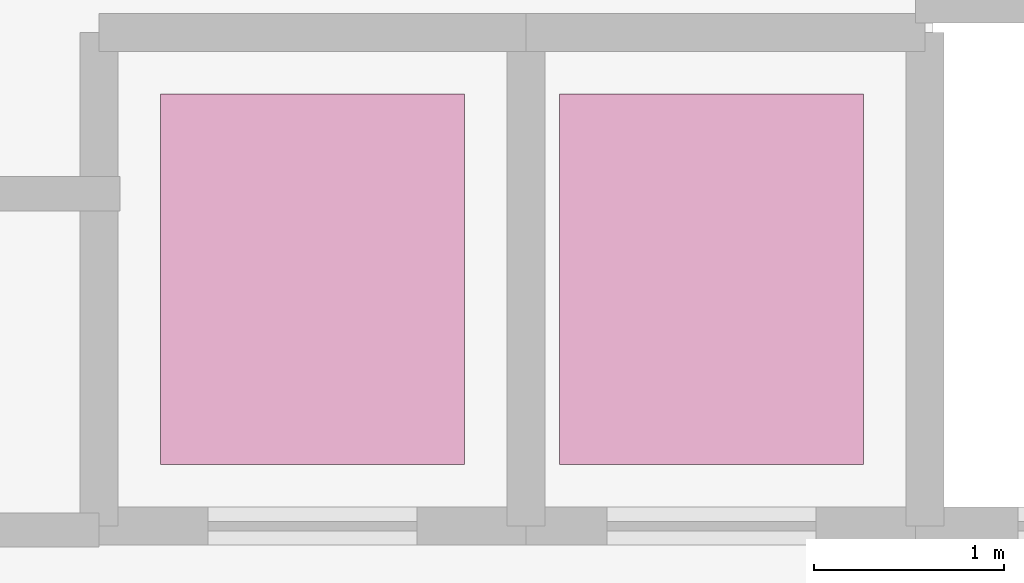
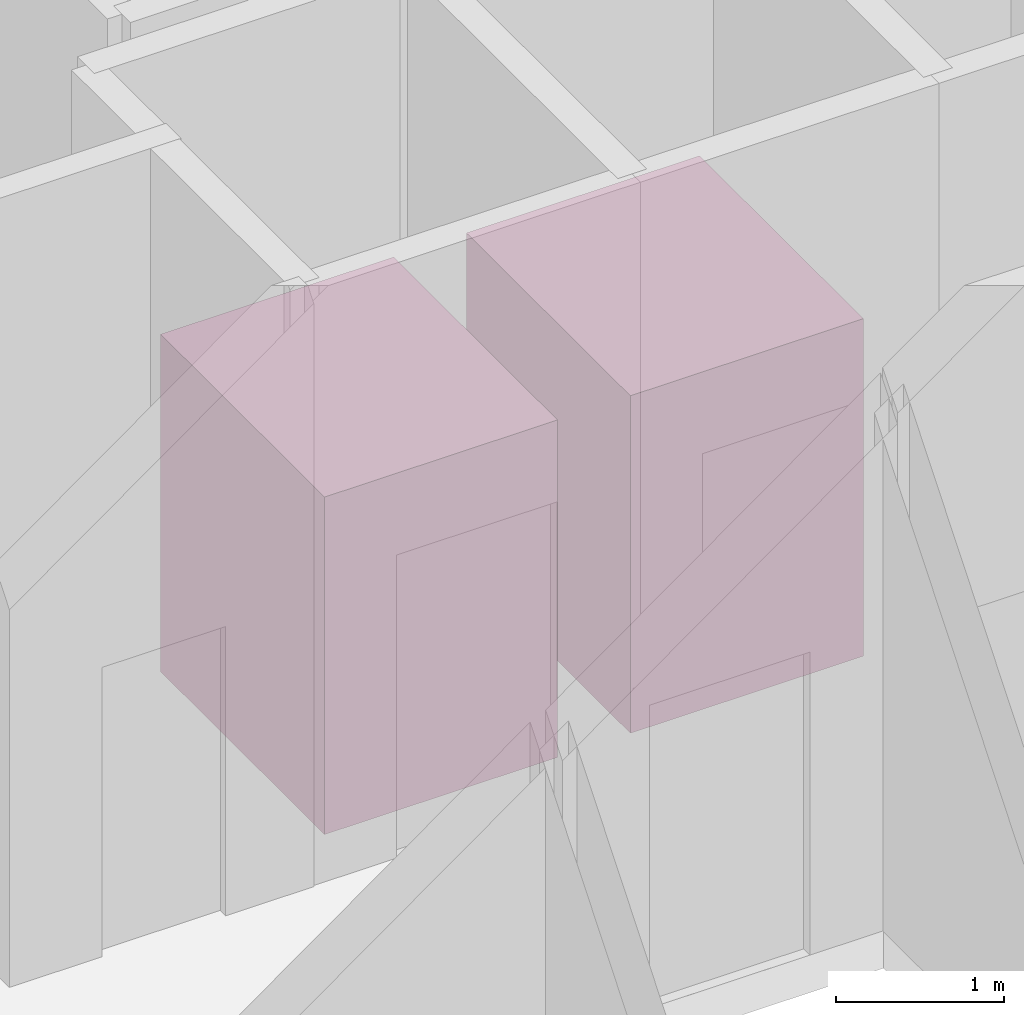
# One storey, part 39 of 39: 2 transport elements.
"""IFC4 building model written with IfcOpenShell, lengths in metres."""

from ifc_helpers import new_model, si_unit, direction, frame, origin, origin_2d, place, context, subcontext, project, spatial, rectangle, extrude, source, transform, mapped, material, type_object, element, save


model = new_model("IFC4")

# Units and contexts
model_context = context("Model", 3, precision=1e-05, world=origin(), true_north=direction((0.0, 1.0)))
body_context = subcontext(model_context, "Body", "Model", "MODEL_VIEW")
ifc_project = project(units=[si_unit("LENGTHUNIT", "METRE"), si_unit("AREAUNIT", "SQUARE_METRE"), si_unit("VOLUMEUNIT", "CUBIC_METRE"), si_unit("PLANEANGLEUNIT", "RADIAN"), si_unit("MASSUNIT", "GRAM", prefix="KILO")], contexts=[model_context])

# Site, building, storey
site_placement = place(None, origin())
site = spatial("IfcSite", under=ifc_project, at=site_placement, CompositionType="ELEMENT")
building_placement = place(site_placement, origin())
building = spatial("IfcBuilding", under=site, at=building_placement, Name="Liaohun Quay Tower", CompositionType="ELEMENT")
storey_placement = place(building_placement, frame((0.0, 0.0, 189.75)))
storey = spatial("IfcBuildingStorey", under=building, at=storey_placement, Name="L49", CompositionType="ELEMENT", Elevation=189.75)

# Transport elements
ifc_material = material(Name="Brushed stainless steel passenger car", Category="steel")
transport_element_type = type_object("IfcTransportElementType", Name="LFT-PAS-1600", PredefinedType="ELEVATOR", material=ifc_material)
shared_shape = source(origin(), body_context, "Body", "SweptSolid", [
    extrude(rectangle(XDim=1.60009765625, YDim=1.949951171875, at=origin_2d()), origin(), (0.0, 0.0, 1.0), 2.449951171875),
])
for number, where, z_axis, x_axis, name in (
    (1, (63.02490234375, 56.300048828125, 0.0), (0.0, 0.0, 1.0), (1.0, 0.0, 0.0), "Passenger Lift PL-3A"),
    (2, (65.125, 56.300048828125, 0.0), (0.0, 0.0, 1.0), (1.0, 0.0, 0.0), "Passenger Lift PL-3B"),
):
    element("IfcTransportElement", number, at=place(storey_placement, frame(where, z_axis=z_axis, x_axis=x_axis)), inside=storey, type_object=transport_element_type, Name=name, PredefinedType="ELEVATOR", context=body_context, shape_type="MappedRepresentation", body=[
        mapped(shared_shape, transform((0.0, 0.0, 0.0), x_axis=(1.0, 0.0, 0.0), y_axis=(0.0, 1.0, 0.0), z_axis=(0.0, 0.0, 1.0), scale=1.0)),
    ])

save(model, "model.ifc")
